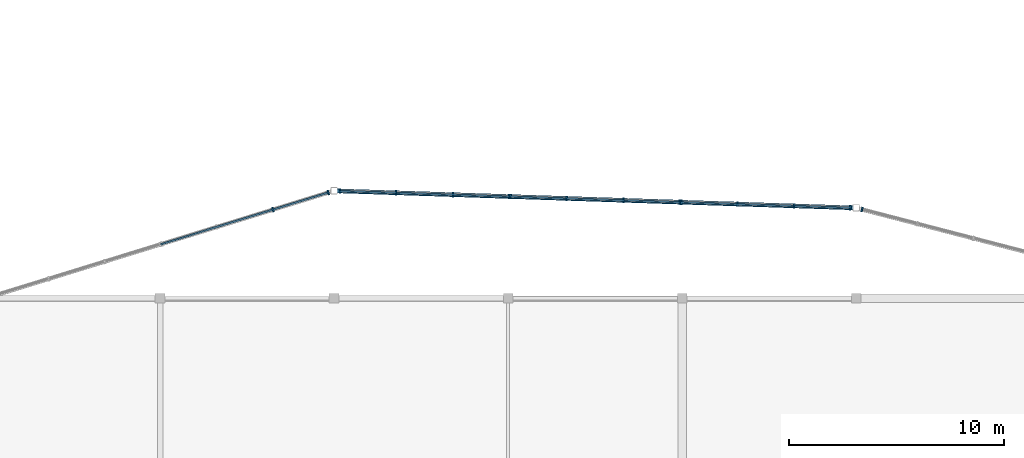
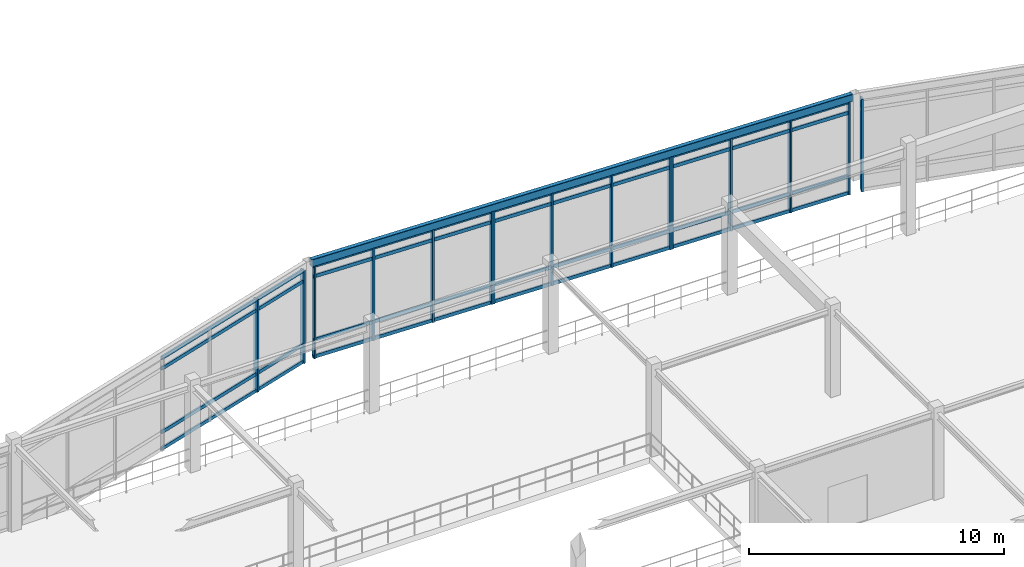
# One storey, part 33 of 89: 31 members, 1 beam, 5 elements without a shape of their own.
"""IFC4 building model written with IfcOpenShell, lengths in metres."""

from ifc_helpers import new_model, si_unit, direction, frame, origin, origin_2d, place, context, subcontext, project, spatial, rectangle, hollow_rectangle, extrude, material, layer, layer_set, material_profile, profile_set, type_object, element, aggregate, save


model = new_model("IFC4")

# Units and contexts
model_context = context("Model", 3, precision=1e-05, world=origin(), true_north=direction((0.0, 1.0)))
body_context = subcontext(model_context, "Body", "Model", "MODEL_VIEW")
ifc_project = project(units=[si_unit("LENGTHUNIT", "METRE"), si_unit("AREAUNIT", "SQUARE_METRE"), si_unit("VOLUMEUNIT", "CUBIC_METRE"), si_unit("PLANEANGLEUNIT", "RADIAN"), si_unit("MASSUNIT", "GRAM", prefix="KILO")], contexts=[model_context])

# Site, building, storey
site_placement = place(None, origin())
site = spatial("IfcSite", under=ifc_project, at=site_placement, CompositionType="ELEMENT")
building_placement = place(site_placement, origin())
building = spatial("IfcBuilding", under=site, at=building_placement, Name="Vaudrelin Polytechnic", CompositionType="ELEMENT")
storey_placement = place(building_placement, frame((0.0, 0.0, 9.68994140625)))
storey = spatial("IfcBuildingStorey", under=building, at=storey_placement, Name="L02", CompositionType="ELEMENT", Elevation=9.68994140625)

# Beam
ifc_material_1 = material(Name="Steel CSA G40.21 350WT", Category="steel")
ifc_material_profile_1 = material_profile(ifc_material_1, hollow_rectangle(XDim=0.202880859375, YDim=0.35595703125, WallThickness=0.0126953125, InnerFilletRadius=0.0126953125, OuterFilletRadius=0.025390625, at=origin_2d()), Name="HSS356x203x12.7")
ifc_profile_set_1 = profile_set([ifc_material_profile_1], Name="Steel CSA G40.21 350WT")
beam_type = type_object("IfcBeamType", Name="BM-SP-HSS35", PredefinedType="SPANDREL", material=ifc_profile_set_1)
beam_placement = place(storey_placement, frame((73.039794921875, 53.595458984375, 3.962158203125), z_axis=(0.999458543434, -0.032903190688, 0.0), x_axis=(0.032903190688, 0.999458543434, 0.0)))
element("IfcBeam", 1, at=beam_placement, inside=storey, type_object=beam_type, Name="Sculptural edge beam L02 CT_OR1_B2", PredefinedType="SPANDREL", context=body_context, shape_type="SweptSolid", body=[
    extrude(hollow_rectangle(XDim=0.202880859375, YDim=0.35595703125, WallThickness=0.0126953125, InnerFilletRadius=0.0126953125, OuterFilletRadius=0.025390625, at=origin_2d()), origin(), (0.0, 0.0, 1.0), 24.033203125),
])

# Curtain wall, members
ifc_material_2 = material(Name="Thermally broken anodised aluminium AA 6063-T6 and low-e triple glazing", Category="aluminium")
ifc_layer = layer(ifc_material_2, 0.199951171875)
ifc_layer_set = layer_set([ifc_layer], Name="Thermally broken anodised aluminium AA 6063-T6 and low-e triple glazing")
curtain_wall_type = type_object("IfcCurtainWallType", Name="CW-CW-WG", PredefinedType="USERDEFINED", material=ifc_layer_set)
curtain_wall_1_placement = place(storey_placement, origin())
curtain_wall_1 = element("IfcCurtainWall", 2, at=curtain_wall_1_placement, inside=storey, type_object=curtain_wall_type, Name="Curtain wall L02 CT_OR1_1_1", ObjectType="CURTAIN WALL", PredefinedType="USERDEFINED")
ifc_material_3 = material(Name="Anodised aluminium AA 6063-T6", Category="aluminium")
ifc_material_profile_2 = material_profile(ifc_material_3, rectangle(XDim=0.074951171875, YDim=0.219970703125, at=origin_2d()), Name="CWM-75x220")
ifc_profile_set_2 = profile_set([ifc_material_profile_2], Name="Anodised aluminium AA 6063-T6")
member_type_1 = type_object("IfcMemberType", Name="MEM-CWM-220", PredefinedType="MULLION", material=ifc_profile_set_2)
member_1_placement = place(storey_placement, frame((70.056396484375, 52.722412109375, -0.6298828125), z_axis=(0.0, 0.0, 1.0), x_axis=(0.955522441596, 0.294918401608, 0.0)))
member_1 = element("IfcMember", 3, at=member_1_placement, type_object=member_type_1, Name="CT_OR1_1_1 mullion 3", PredefinedType="MULLION", context=body_context, shape_type="SweptSolid", body=[
    extrude(rectangle(XDim=0.074951171875, YDim=0.219970703125, at=origin_2d()), origin(), (0.0, 0.0, 1.0), 4.43994140625),
])
member_2_placement = place(storey_placement, frame((72.628173828125, 53.51611328125, -0.6298828125), z_axis=(0.0, 0.0, 1.0), x_axis=(0.955522441596, 0.294918401608, 0.0)))
member_2 = element("IfcMember", 4, at=member_2_placement, type_object=member_type_1, Name="CT_OR1_1_1 mullion 4", PredefinedType="MULLION", context=body_context, shape_type="SweptSolid", body=[
    extrude(rectangle(XDim=0.074951171875, YDim=0.219970703125, at=origin_2d()), origin(), (0.0, 0.0, 1.0), 4.43994140625),
])

curtain_wall_2_placement = place(storey_placement, origin())
curtain_wall_2 = element("IfcCurtainWall", 5, at=curtain_wall_2_placement, inside=storey, type_object=curtain_wall_type, Name="Curtain wall L02 CT_OR1_2_0", ObjectType="CURTAIN WALL", PredefinedType="USERDEFINED")
member_3_placement = place(storey_placement, frame((73.177490234375, 53.5908203125, -0.6298828125), z_axis=(0.0, 0.0, 1.0), x_axis=(0.999458331652, -0.032909623096, 0.0)))
member_3 = element("IfcMember", 6, at=member_3_placement, type_object=member_type_1, Name="CT_OR1_2_0 mullion 1", PredefinedType="MULLION", context=body_context, shape_type="SweptSolid", body=[
    extrude(rectangle(XDim=0.074951171875, YDim=0.219970703125, at=origin_2d()), origin(), (0.0, 0.0, 1.0), 4.43994140625),
])
member_4_placement = place(storey_placement, frame((75.78466796875, 53.5048828125, -0.6298828125), z_axis=(0.0, 0.0, 1.0), x_axis=(0.999458331652, -0.032909623096, 0.0)))
member_4 = element("IfcMember", 7, at=member_4_placement, type_object=member_type_1, Name="CT_OR1_2_0 mullion 2", PredefinedType="MULLION", context=body_context, shape_type="SweptSolid", body=[
    extrude(rectangle(XDim=0.074951171875, YDim=0.219970703125, at=origin_2d()), origin(), (0.0, 0.0, 1.0), 4.43994140625),
])
member_5_placement = place(storey_placement, frame((78.431884765625, 53.41796875, -0.6298828125), z_axis=(0.0, 0.0, 1.0), x_axis=(0.999458331652, -0.032909623096, 0.0)))
member_5 = element("IfcMember", 8, at=member_5_placement, type_object=member_type_1, Name="CT_OR1_2_0 mullion 3", PredefinedType="MULLION", context=body_context, shape_type="SweptSolid", body=[
    extrude(rectangle(XDim=0.074951171875, YDim=0.219970703125, at=origin_2d()), origin(), (0.0, 0.0, 1.0), 4.43994140625),
])
member_6_placement = place(storey_placement, frame((81.039306640625, 53.33203125, -0.6298828125), z_axis=(0.0, 0.0, 1.0), x_axis=(0.999458331652, -0.032909623096, 0.0)))
member_6 = element("IfcMember", 9, at=member_6_placement, type_object=member_type_1, Name="CT_OR1_2_0 mullion 4", PredefinedType="MULLION", context=body_context, shape_type="SweptSolid", body=[
    extrude(rectangle(XDim=0.074951171875, YDim=0.219970703125, at=origin_2d()), origin(), (0.0, 0.0, 1.0), 4.43994140625),
])

curtain_wall_3_placement = place(storey_placement, origin())
curtain_wall_3 = element("IfcCurtainWall", 10, at=curtain_wall_3_placement, inside=storey, type_object=curtain_wall_type, Name="Curtain wall L02 CT_OR1_2_1", ObjectType="CURTAIN WALL", PredefinedType="USERDEFINED")
member_7_placement = place(storey_placement, frame((81.119140625, 53.329345703125, -0.6298828125), z_axis=(0.0, 0.0, 1.0), x_axis=(0.999458731894, -0.032897465558, 0.0)))
member_7 = element("IfcMember", 11, at=member_7_placement, type_object=member_type_1, Name="CT_OR1_2_1 mullion 1", PredefinedType="MULLION", context=body_context, shape_type="SweptSolid", body=[
    extrude(rectangle(XDim=0.074951171875, YDim=0.219970703125, at=origin_2d()), origin(), (0.0, 0.0, 1.0), 4.43994140625),
])
member_8_placement = place(storey_placement, frame((83.726318359375, 53.24365234375, -0.6298828125), z_axis=(0.0, 0.0, 1.0), x_axis=(0.999458731894, -0.032897465558, 0.0)))
member_8 = element("IfcMember", 12, at=member_8_placement, type_object=member_type_1, Name="CT_OR1_2_1 mullion 2", PredefinedType="MULLION", context=body_context, shape_type="SweptSolid", body=[
    extrude(rectangle(XDim=0.074951171875, YDim=0.219970703125, at=origin_2d()), origin(), (0.0, 0.0, 1.0), 4.43994140625),
])
member_9_placement = place(storey_placement, frame((86.37353515625, 53.156494140625, -0.6298828125), z_axis=(0.0, 0.0, 1.0), x_axis=(0.999458731894, -0.032897465558, 0.0)))
member_9 = element("IfcMember", 13, at=member_9_placement, type_object=member_type_1, Name="CT_OR1_2_1 mullion 3", PredefinedType="MULLION", context=body_context, shape_type="SweptSolid", body=[
    extrude(rectangle(XDim=0.074951171875, YDim=0.219970703125, at=origin_2d()), origin(), (0.0, 0.0, 1.0), 4.43994140625),
])
member_10_placement = place(storey_placement, frame((88.980712890625, 53.070556640625, -0.6298828125), z_axis=(0.0, 0.0, 1.0), x_axis=(0.999458731894, -0.032897465558, 0.0)))
member_10 = element("IfcMember", 14, at=member_10_placement, type_object=member_type_1, Name="CT_OR1_2_1 mullion 4", PredefinedType="MULLION", context=body_context, shape_type="SweptSolid", body=[
    extrude(rectangle(XDim=0.074951171875, YDim=0.219970703125, at=origin_2d()), origin(), (0.0, 0.0, 1.0), 4.43994140625),
])

curtain_wall_4_placement = place(storey_placement, origin())
curtain_wall_4 = element("IfcCurtainWall", 15, at=curtain_wall_4_placement, inside=storey, type_object=curtain_wall_type, Name="Curtain wall L02 CT_OR1_2_2", ObjectType="CURTAIN WALL", PredefinedType="USERDEFINED")
member_11_placement = place(storey_placement, frame((89.060791015625, 53.068115234375, -0.6298828125), z_axis=(0.0, 0.0, 1.0), x_axis=(0.999458331652, -0.032909623096, 0.0)))
member_11 = element("IfcMember", 16, at=member_11_placement, type_object=member_type_1, Name="CT_OR1_2_2 mullion 1", PredefinedType="MULLION", context=body_context, shape_type="SweptSolid", body=[
    extrude(rectangle(XDim=0.074951171875, YDim=0.219970703125, at=origin_2d()), origin(), (0.0, 0.0, 1.0), 4.43994140625),
])
member_12_placement = place(storey_placement, frame((91.66796875, 52.982177734375, -0.6298828125), z_axis=(0.0, 0.0, 1.0), x_axis=(0.999458331652, -0.032909623096, 0.0)))
member_12 = element("IfcMember", 17, at=member_12_placement, type_object=member_type_1, Name="CT_OR1_2_2 mullion 2", PredefinedType="MULLION", context=body_context, shape_type="SweptSolid", body=[
    extrude(rectangle(XDim=0.074951171875, YDim=0.219970703125, at=origin_2d()), origin(), (0.0, 0.0, 1.0), 4.43994140625),
])
member_13_placement = place(storey_placement, frame((94.315185546875, 52.89501953125, -0.6298828125), z_axis=(0.0, 0.0, 1.0), x_axis=(0.999458331652, -0.032909623096, 0.0)))
member_13 = element("IfcMember", 18, at=member_13_placement, type_object=member_type_1, Name="CT_OR1_2_2 mullion 3", PredefinedType="MULLION", context=body_context, shape_type="SweptSolid", body=[
    extrude(rectangle(XDim=0.074951171875, YDim=0.219970703125, at=origin_2d()), origin(), (0.0, 0.0, 1.0), 4.43994140625),
])
member_14_placement = place(storey_placement, frame((96.922607421875, 52.80908203125, -0.6298828125), z_axis=(0.0, 0.0, 1.0), x_axis=(0.999458331652, -0.032909623096, 0.0)))
member_14 = element("IfcMember", 19, at=member_14_placement, type_object=member_type_1, Name="CT_OR1_2_2 mullion 4", PredefinedType="MULLION", context=body_context, shape_type="SweptSolid", body=[
    extrude(rectangle(XDim=0.074951171875, YDim=0.219970703125, at=origin_2d()), origin(), (0.0, 0.0, 1.0), 4.43994140625),
])

# Curtain wall, member
curtain_wall_5_placement = place(storey_placement, origin())
curtain_wall_5 = element("IfcCurtainWall", 20, at=curtain_wall_5_placement, inside=storey, type_object=curtain_wall_type, Name="Curtain wall L02 CT_OR1_3_0", ObjectType="CURTAIN WALL", PredefinedType="USERDEFINED")
member_15_placement = place(storey_placement, frame((97.473388671875, 52.72900390625, -0.6298828125), z_axis=(0.0, 0.0, 1.0), x_axis=(0.967997343156, -0.250960442388, 0.0)))
member_15 = element("IfcMember", 21, at=member_15_placement, type_object=member_type_1, Name="CT_OR1_3_0 mullion 1", PredefinedType="MULLION", context=body_context, shape_type="SweptSolid", body=[
    extrude(rectangle(XDim=0.074951171875, YDim=0.219970703125, at=origin_2d()), origin(), (0.0, 0.0, 1.0), 4.43994140625),
])
aggregate(curtain_wall_5, [member_15])

# Member
ifc_material_profile_3 = material_profile(ifc_material_3, rectangle(XDim=0.074951171875, YDim=0.1650390625, at=origin_2d()), Name="CWT-75x165")
ifc_profile_set_3 = profile_set([ifc_material_profile_3], Name="Anodised aluminium AA 6063-T6")
member_type_2 = type_object("IfcMemberType", Name="MEM-CWT-165", PredefinedType="USERDEFINED", material=ifc_profile_set_3)
member_16_placement = place(storey_placement, frame((64.836181640625, 51.111083984375, -0.579833984375), z_axis=(0.955521618533, 0.29492106828, 0.0), x_axis=(-0.29492106828, 0.955521618533, 0.0)))
member_16 = element("IfcMember", 22, at=member_16_placement, type_object=member_type_2, Name="CT_OR1_1_1 transom 1", ObjectType="TRANSOM", PredefinedType="USERDEFINED", context=body_context, shape_type="SweptSolid", body=[
    extrude(rectangle(XDim=0.074951171875, YDim=0.1650390625, at=origin_2d()), origin(), (0.0, 0.0, 1.0), 8.194580078125),
])

member_17_placement = place(storey_placement, frame((64.836181640625, 51.111083984375, 0.219970703125), z_axis=(0.955521618533, 0.29492106828, 0.0), x_axis=(-0.29492106828, 0.955521618533, 0.0)))
member_17 = element("IfcMember", 23, at=member_17_placement, type_object=member_type_2, Name="CT_OR1_1_1 transom 2", ObjectType="TRANSOM", PredefinedType="USERDEFINED", context=body_context, shape_type="SweptSolid", body=[
    extrude(rectangle(XDim=0.074951171875, YDim=0.1650390625, at=origin_2d()), origin(), (0.0, 0.0, 1.0), 8.194580078125),
])

member_18_placement = place(storey_placement, frame((64.836181640625, 51.111083984375, 3.260009765625), z_axis=(0.955521618533, 0.29492106828, 0.0), x_axis=(-0.29492106828, 0.955521618533, 0.0)))
member_18 = element("IfcMember", 24, at=member_18_placement, type_object=member_type_2, Name="CT_OR1_1_1 transom 3", ObjectType="TRANSOM", PredefinedType="USERDEFINED", context=body_context, shape_type="SweptSolid", body=[
    extrude(rectangle(XDim=0.074951171875, YDim=0.1650390625, at=origin_2d()), origin(), (0.0, 0.0, 1.0), 8.194580078125),
])

member_19_placement = place(storey_placement, frame((64.836181640625, 51.111083984375, 3.760009765625), z_axis=(0.955521618533, 0.29492106828, 0.0), x_axis=(-0.29492106828, 0.955521618533, 0.0)))
member_19 = element("IfcMember", 25, at=member_19_placement, type_object=member_type_2, Name="CT_OR1_1_1 transom 4", ObjectType="TRANSOM", PredefinedType="USERDEFINED", context=body_context, shape_type="SweptSolid", body=[
    extrude(rectangle(XDim=0.074951171875, YDim=0.1650390625, at=origin_2d()), origin(), (0.0, 0.0, 1.0), 8.194580078125),
])

aggregate(curtain_wall_1, [member_1, member_2, member_16, member_17, member_18, member_19])

member_20_placement = place(storey_placement, frame((73.137451171875, 53.59228515625, -0.579833984375), z_axis=(0.999458429988, -0.032906636494, 0.0), x_axis=(0.032906636494, 0.999458429988, 0.0)))
member_20 = element("IfcMember", 26, at=member_20_placement, type_object=member_type_2, Name="CT_OR1_2_0 transom 1", ObjectType="TRANSOM", PredefinedType="USERDEFINED", context=body_context, shape_type="SweptSolid", body=[
    extrude(rectangle(XDim=0.074951171875, YDim=0.1650390625, at=origin_2d()), origin(), (0.0, 0.0, 1.0), 7.946044921875),
])

member_21_placement = place(storey_placement, frame((73.137451171875, 53.59228515625, 0.219970703125), z_axis=(0.999458429988, -0.032906636494, 0.0), x_axis=(0.032906636494, 0.999458429988, 0.0)))
member_21 = element("IfcMember", 27, at=member_21_placement, type_object=member_type_2, Name="CT_OR1_2_0 transom 2", ObjectType="TRANSOM", PredefinedType="USERDEFINED", context=body_context, shape_type="SweptSolid", body=[
    extrude(rectangle(XDim=0.074951171875, YDim=0.1650390625, at=origin_2d()), origin(), (0.0, 0.0, 1.0), 7.946044921875),
])

member_22_placement = place(storey_placement, frame((73.137451171875, 53.59228515625, 3.260009765625), z_axis=(0.999458429988, -0.032906636494, 0.0), x_axis=(0.032906636494, 0.999458429988, 0.0)))
member_22 = element("IfcMember", 28, at=member_22_placement, type_object=member_type_2, Name="CT_OR1_2_0 transom 3", ObjectType="TRANSOM", PredefinedType="USERDEFINED", context=body_context, shape_type="SweptSolid", body=[
    extrude(rectangle(XDim=0.074951171875, YDim=0.1650390625, at=origin_2d()), origin(), (0.0, 0.0, 1.0), 7.946044921875),
])

member_23_placement = place(storey_placement, frame((73.137451171875, 53.59228515625, 3.760009765625), z_axis=(0.999458429988, -0.032906636494, 0.0), x_axis=(0.032906636494, 0.999458429988, 0.0)))
member_23 = element("IfcMember", 29, at=member_23_placement, type_object=member_type_2, Name="CT_OR1_2_0 transom 4", ObjectType="TRANSOM", PredefinedType="USERDEFINED", context=body_context, shape_type="SweptSolid", body=[
    extrude(rectangle(XDim=0.074951171875, YDim=0.1650390625, at=origin_2d()), origin(), (0.0, 0.0, 1.0), 7.946044921875),
])

aggregate(curtain_wall_2, [member_3, member_4, member_5, member_6, member_20, member_21, member_22, member_23])

member_24_placement = place(storey_placement, frame((81.0791015625, 53.330810546875, -0.579833984375), z_axis=(0.999458429988, -0.032906636494, 0.0), x_axis=(0.032906636494, 0.999458429988, 0.0)))
member_24 = element("IfcMember", 30, at=member_24_placement, type_object=member_type_2, Name="CT_OR1_2_1 transom 1", ObjectType="TRANSOM", PredefinedType="USERDEFINED", context=body_context, shape_type="SweptSolid", body=[
    extrude(rectangle(XDim=0.074951171875, YDim=0.1650390625, at=origin_2d()), origin(), (0.0, 0.0, 1.0), 7.946044921875),
])

member_25_placement = place(storey_placement, frame((81.0791015625, 53.330810546875, 0.219970703125), z_axis=(0.999458429988, -0.032906636494, 0.0), x_axis=(0.032906636494, 0.999458429988, 0.0)))
member_25 = element("IfcMember", 31, at=member_25_placement, type_object=member_type_2, Name="CT_OR1_2_1 transom 2", ObjectType="TRANSOM", PredefinedType="USERDEFINED", context=body_context, shape_type="SweptSolid", body=[
    extrude(rectangle(XDim=0.074951171875, YDim=0.1650390625, at=origin_2d()), origin(), (0.0, 0.0, 1.0), 7.946044921875),
])

member_26_placement = place(storey_placement, frame((81.0791015625, 53.330810546875, 3.260009765625), z_axis=(0.999458429988, -0.032906636494, 0.0), x_axis=(0.032906636494, 0.999458429988, 0.0)))
member_26 = element("IfcMember", 32, at=member_26_placement, type_object=member_type_2, Name="CT_OR1_2_1 transom 3", ObjectType="TRANSOM", PredefinedType="USERDEFINED", context=body_context, shape_type="SweptSolid", body=[
    extrude(rectangle(XDim=0.074951171875, YDim=0.1650390625, at=origin_2d()), origin(), (0.0, 0.0, 1.0), 7.946044921875),
])

member_27_placement = place(storey_placement, frame((81.0791015625, 53.330810546875, 3.760009765625), z_axis=(0.999458429988, -0.032906636494, 0.0), x_axis=(0.032906636494, 0.999458429988, 0.0)))
member_27 = element("IfcMember", 33, at=member_27_placement, type_object=member_type_2, Name="CT_OR1_2_1 transom 4", ObjectType="TRANSOM", PredefinedType="USERDEFINED", context=body_context, shape_type="SweptSolid", body=[
    extrude(rectangle(XDim=0.074951171875, YDim=0.1650390625, at=origin_2d()), origin(), (0.0, 0.0, 1.0), 7.946044921875),
])

aggregate(curtain_wall_3, [member_7, member_8, member_9, member_10, member_24, member_25, member_26, member_27])

member_28_placement = place(storey_placement, frame((89.020751953125, 53.0693359375, -0.579833984375), z_axis=(0.999458429988, -0.032906636494, 0.0), x_axis=(0.032906636494, 0.999458429988, 0.0)))
member_28 = element("IfcMember", 34, at=member_28_placement, type_object=member_type_2, Name="CT_OR1_2_2 transom 1", ObjectType="TRANSOM", PredefinedType="USERDEFINED", context=body_context, shape_type="SweptSolid", body=[
    extrude(rectangle(XDim=0.074951171875, YDim=0.1650390625, at=origin_2d()), origin(), (0.0, 0.0, 1.0), 7.946044921875),
])

member_29_placement = place(storey_placement, frame((89.020751953125, 53.0693359375, 0.219970703125), z_axis=(0.999458429988, -0.032906636494, 0.0), x_axis=(0.032906636494, 0.999458429988, 0.0)))
member_29 = element("IfcMember", 35, at=member_29_placement, type_object=member_type_2, Name="CT_OR1_2_2 transom 2", ObjectType="TRANSOM", PredefinedType="USERDEFINED", context=body_context, shape_type="SweptSolid", body=[
    extrude(rectangle(XDim=0.074951171875, YDim=0.1650390625, at=origin_2d()), origin(), (0.0, 0.0, 1.0), 7.946044921875),
])

member_30_placement = place(storey_placement, frame((89.020751953125, 53.0693359375, 3.260009765625), z_axis=(0.999458429988, -0.032906636494, 0.0), x_axis=(0.032906636494, 0.999458429988, 0.0)))
member_30 = element("IfcMember", 36, at=member_30_placement, type_object=member_type_2, Name="CT_OR1_2_2 transom 3", ObjectType="TRANSOM", PredefinedType="USERDEFINED", context=body_context, shape_type="SweptSolid", body=[
    extrude(rectangle(XDim=0.074951171875, YDim=0.1650390625, at=origin_2d()), origin(), (0.0, 0.0, 1.0), 7.946044921875),
])

member_31_placement = place(storey_placement, frame((89.020751953125, 53.0693359375, 3.760009765625), z_axis=(0.999458429988, -0.032906636494, 0.0), x_axis=(0.032906636494, 0.999458429988, 0.0)))
member_31 = element("IfcMember", 37, at=member_31_placement, type_object=member_type_2, Name="CT_OR1_2_2 transom 4", ObjectType="TRANSOM", PredefinedType="USERDEFINED", context=body_context, shape_type="SweptSolid", body=[
    extrude(rectangle(XDim=0.074951171875, YDim=0.1650390625, at=origin_2d()), origin(), (0.0, 0.0, 1.0), 7.946044921875),
])

aggregate(curtain_wall_4, [member_11, member_12, member_13, member_14, member_28, member_29, member_30, member_31])

save(model, "model.ifc")
